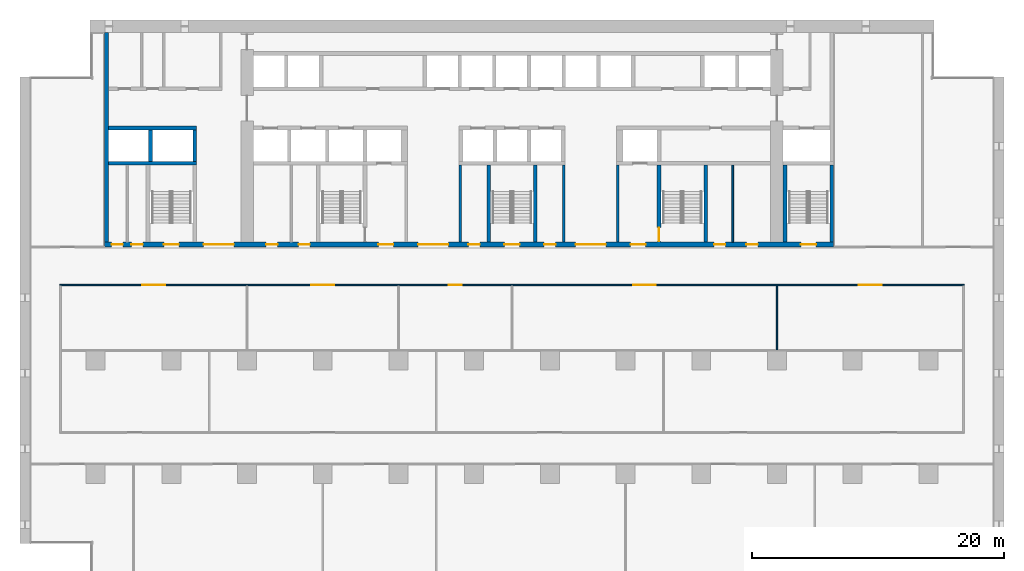
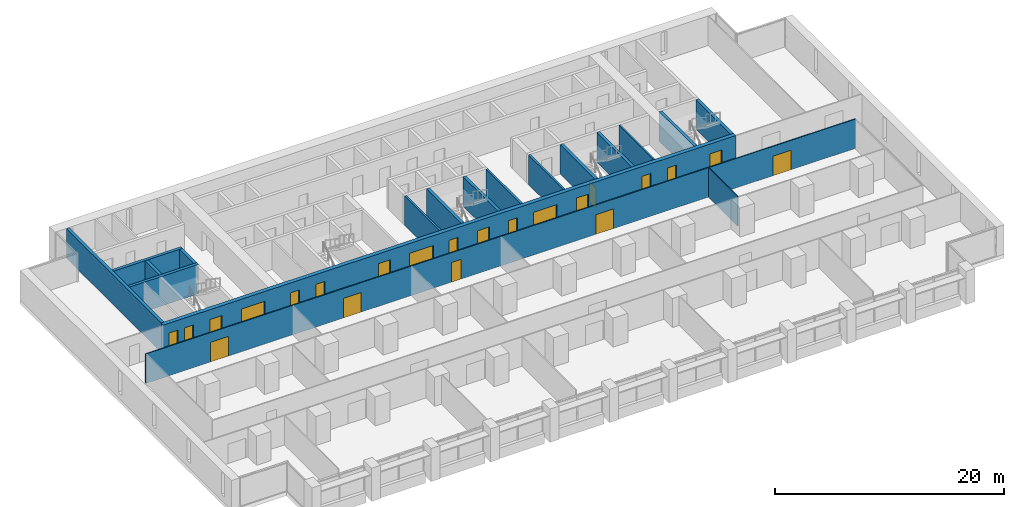
# One storey, part 10 of 18: 22 doors, 18 walls, 22 openings.
"""IFC4 building model written with IfcOpenShell, lengths in metres."""

from ifc_helpers import new_model, si_unit, direction, frame, frame_2d, origin, place, context, subcontext, project, spatial, rectangle, extrude, material, layer, layer_set, type_object, element, fill, save


model = new_model("IFC4")

# Units and contexts
model_context = context("Model", 3, precision=1e-05, world=origin(), true_north=direction((0.0, 1.0)))
body_context = subcontext(model_context, "Body", "Model", "MODEL_VIEW")
ifc_project = project(units=[si_unit("LENGTHUNIT", "METRE"), si_unit("AREAUNIT", "SQUARE_METRE"), si_unit("VOLUMEUNIT", "CUBIC_METRE"), si_unit("PLANEANGLEUNIT", "RADIAN"), si_unit("MASSUNIT", "GRAM", prefix="KILO")], contexts=[model_context])

# Site, building, storey
site_placement = place(None, origin())
site = spatial("IfcSite", under=ifc_project, at=site_placement, CompositionType="ELEMENT")
building_placement = place(site_placement, origin())
building = spatial("IfcBuilding", under=site, at=building_placement, Name="Calvaro Tower", CompositionType="ELEMENT")
storey_placement = place(building_placement, frame((0.0, 0.0, 86.25)))
storey = spatial("IfcBuildingStorey", under=building, at=storey_placement, Name="L21", CompositionType="ELEMENT", Elevation=86.25)

# Walls
ifc_material_1 = material(Name="Blockwork partition", Category="masonry")
ifc_layer_1 = layer(ifc_material_1, 0.14990234375)
ifc_layer_set_1 = layer_set([ifc_layer_1], Name="Blockwork partition")
wall_type_1 = type_object("IfcWallType", Name="Core partition 150 EI 60", PredefinedType="PARTITIONING", material=ifc_layer_set_1)
wall_1_placement = place(storey_placement, frame((56.5, 28.39990234375, 0.0), z_axis=(0.0, 0.0, 1.0), x_axis=(0.0, 1.0, 0.0)))
element("IfcWall", 1, at=wall_1_placement, inside=storey, type_object=wall_type_1, Name="Core partition", PredefinedType="PARTITIONING", context=body_context, shape_type="SweptSolid", body=[
    extrude(rectangle(XDim=6.10009765625, YDim=0.14990234375, at=frame_2d((3.050048828125, 0.0))), origin(), (0.0, 0.0, 1.0), 3.14990234375),
])
ifc_material_2 = material(Name="Blockwork partition", Category="masonry")
ifc_layer_2 = layer(ifc_material_2, 0.199951171875)
ifc_layer_set_2 = layer_set([ifc_layer_2], Name="Blockwork partition")
wall_type_2 = type_object("IfcWallType", Name="Core partition 200 REI 120", PredefinedType="PARTITIONING", material=ifc_layer_set_2)
for number, where, z_axis, x_axis, name in (
    (2, (34.89990234375, 28.39990234375, 0.0), (0.0, 0.0, 1.0), (0.0, 1.0, 0.0), "Core partition"),
    (3, (43.10009765625, 28.39990234375, 0.0), (0.0, 0.0, 1.0), (0.0, 1.0, 0.0), "Core partition"),
    (4, (47.39990234375, 28.39990234375, 0.0), (0.0, 0.0, 1.0), (0.0, 1.0, 0.0), "Core partition"),
):
    element("IfcWall", number, at=place(storey_placement, frame(where, z_axis=z_axis, x_axis=x_axis)), inside=storey, type_object=wall_type_2, Name=name, PredefinedType="PARTITIONING", context=body_context, shape_type="SweptSolid", body=[
        extrude(rectangle(XDim=6.10009765625, YDim=0.199951171875, at=frame_2d((3.050048828125, 0.0))), origin(), (0.0, 0.0, 1.0), 3.14990234375),
    ])
ifc_material_3 = material(Name="Concrete C80/95", Category="concrete")
ifc_layer_3 = layer(ifc_material_3, 0.300048828125)
ifc_layer_set_3 = layer_set([ifc_layer_3], Name="Concrete C80/95")
wall_type_3 = type_object("IfcWallType", Name="Core wall C80/95 300", PredefinedType="SHEAR", material=ifc_layer_set_3)
wall_2_placement = place(storey_placement, frame((6.85009765625, 28.39990234375, 0.0), z_axis=(0.0, 0.0, 1.0), x_axis=(0.0, 1.0, 0.0)))
element("IfcWall", 5, at=wall_2_placement, inside=storey, type_object=wall_type_3, Name="Core wall, boundary", PredefinedType="SHEAR", context=body_context, shape_type="SweptSolid", body=[
    extrude(rectangle(XDim=16.60009765625, YDim=0.300048828125, at=frame_2d((8.300048828125, 0.0))), origin(), (0.0, 0.0, 1.0), 3.14990234375),
])
for number, where, z_axis, x_axis, name in (
    (6, (37.14990234375, 28.39990234375, 0.0), (0.0, 0.0, 1.0), (0.0, 1.0, 0.0), "Core wall, stair enclosure"),
    (7, (40.85009765625, 28.39990234375, 0.0), (0.0, 0.0, 1.0), (0.0, 1.0, 0.0), "Core wall, stair enclosure"),
):
    element("IfcWall", number, at=place(storey_placement, frame(where, z_axis=z_axis, x_axis=x_axis)), inside=storey, type_object=wall_type_3, Name=name, PredefinedType="SHEAR", context=body_context, shape_type="SweptSolid", body=[
        extrude(rectangle(XDim=6.10009765625, YDim=0.300048828125, at=frame_2d((3.050048828125, 0.0))), origin(), (0.0, 0.0, 1.0), 3.14990234375),
    ])

# Wall, opening, door
wall_3_placement = place(storey_placement, frame((50.64990234375, 34.5, 0.0), z_axis=(0.0, 0.0, 1.0), x_axis=(0.0, -1.0, 0.0)))
wall_3 = element("IfcWall", 8, at=wall_3_placement, inside=storey, type_object=wall_type_3, Name="Core wall, stair enclosure", PredefinedType="SHEAR", context=body_context, shape_type="SweptSolid", body=[
    extrude(rectangle(XDim=6.10009765625, YDim=0.300048828125, at=frame_2d((3.050048828125, 0.0))), origin(), (0.0, 0.0, 1.0), 3.14990234375),
])
opening_1_placement = place(wall_3_placement, frame((4.949951171875, 0.0, 0.0)))
opening_1 = element("IfcOpeningElement", 9, at=opening_1_placement, cuts=wall_3, Name="Opening FD11D", PredefinedType="OPENING", context=body_context, shape_type="SweptSolid", body=[
    extrude(rectangle(XDim=1.10009765625, YDim=2.10009765625, at=frame_2d((0.550048828125, 1.050048828125))), frame((0.0, 0.159912109375, 0.0), z_axis=(0.0, -1.0, 0.0), x_axis=(1.0, 0.0, 0.0)), (0.0, 0.0, 1.0), 0.320068359375),
])
ifc_material_4 = material(Name="Steel door set", Category="steel")
door_type_1 = type_object("IfcDoorType", Name="Fire door 1100 FD30S", OperationType="SINGLE_SWING_LEFT", PredefinedType="DOOR", material=ifc_material_4)
door_1_placement = place(opening_1_placement, origin())
door_1 = element("IfcDoor", 10, at=door_1_placement, inside=storey, type_object=door_type_1, Name="Fire door", OperationType="SINGLE_SWING_RIGHT", OverallHeight=2.10009765625, OverallWidth=1.10009765625, PredefinedType="DOOR", context=body_context, shape_type="SweptSolid", body=[
    extrude(rectangle(XDim=1.10009765625, YDim=2.10009765625, at=frame_2d((0.550048828125, 1.050048828125))), frame((0.0, 0.02490234375, 0.0), z_axis=(0.0, -1.0, 0.0), x_axis=(1.0, 0.0, 0.0)), (0.0, 0.0, 1.0), 0.050048828125),
])
fill(opening_1, door_1)

# Walls
for number, where, z_axis, x_axis, name in (
    (11, (54.35009765625, 28.39990234375, 0.0), (0.0, 0.0, 1.0), (0.0, 1.0, 0.0), "Core wall, stair enclosure"),
    (12, (60.64990234375, 28.39990234375, 0.0), (0.0, 0.0, 1.0), (0.0, 1.0, 0.0), "Core wall, stair enclosure"),
    (13, (64.35009765625, 28.39990234375, 0.0), (0.0, 0.0, 1.0), (0.0, 1.0, 0.0), "Core wall, stair enclosure"),
):
    element("IfcWall", number, at=place(storey_placement, frame(where, z_axis=z_axis, x_axis=x_axis)), inside=storey, type_object=wall_type_3, Name=name, PredefinedType="SHEAR", context=body_context, shape_type="SweptSolid", body=[
        extrude(rectangle(XDim=6.10009765625, YDim=0.300048828125, at=frame_2d((3.050048828125, 0.0))), origin(), (0.0, 0.0, 1.0), 3.14990234375),
    ])
for number, where, z_axis, x_axis, name in (
    (14, (7.0, 34.64990234375, 0.0), (0.0, 0.0, 1.0), (1.0, 0.0, 0.0), "Core wall, lift shaft"),
    (15, (7.0, 37.449951171875, 0.0), (0.0, 0.0, 1.0), (1.0, 0.0, 0.0), "Core wall, lift shaft"),
):
    element("IfcWall", number, at=place(storey_placement, frame(where, z_axis=z_axis, x_axis=x_axis)), inside=storey, type_object=wall_type_3, Name=name, PredefinedType="SHEAR", context=body_context, shape_type="SweptSolid", body=[
        extrude(rectangle(XDim=7.0, YDim=0.300048828125, at=frame_2d((3.5, 0.0))), origin(), (0.0, 0.0, 1.0), 3.14990234375),
    ])
for number, where, z_axis, x_axis, name in (
    (16, (13.85009765625, 34.800048828125, 0.0), (0.0, 0.0, 1.0), (0.0, 1.0, 0.0), "Core wall, lift shaft"),
    (17, (10.35009765625, 34.800048828125, 0.0), (0.0, 0.0, 1.0), (0.0, 1.0, 0.0), "Core wall, lift shaft"),
):
    element("IfcWall", number, at=place(storey_placement, frame(where, z_axis=z_axis, x_axis=x_axis)), inside=storey, type_object=wall_type_3, Name=name, PredefinedType="SHEAR", context=body_context, shape_type="SweptSolid", body=[
        extrude(rectangle(XDim=2.5, YDim=0.300048828125, at=frame_2d((1.25, 0.0))), origin(), (0.0, 0.0, 1.0), 3.14990234375),
    ])

# Wall, openings, doors
ifc_material_5 = material(Name="Concrete C80/95", Category="concrete")
ifc_layer_4 = layer(ifc_material_5, 0.39990234375)
ifc_layer_set_4 = layer_set([ifc_layer_4], Name="Concrete C80/95")
wall_type_4 = type_object("IfcWallType", Name="Core wall C80/95 400", PredefinedType="SHEAR", material=ifc_layer_set_4)
wall_4_placement = place(storey_placement, frame((6.699951171875, 28.199951171875, 0.0), z_axis=(0.0, 0.0, 1.0), x_axis=(1.0, 0.0, 0.0)))
wall_4 = element("IfcWall", 18, at=wall_4_placement, inside=storey, type_object=wall_type_4, Name="Core wall, front", PredefinedType="SHEAR", context=body_context, shape_type="SweptSolid", body=[
    extrude(rectangle(XDim=57.800048828125, YDim=0.39990234375, at=frame_2d((28.89990234375, 0.0))), origin(), (0.0, 0.0, 1.0), 3.14990234375),
])
opening_2_placement = place(wall_4_placement, frame((12.8125, 0.0, 0.0)))
opening_2 = element("IfcOpeningElement", 19, at=opening_2_placement, cuts=wall_4, Name="Opening RD9E", PredefinedType="OPENING", context=body_context, shape_type="SweptSolid", body=[
    extrude(rectangle(XDim=0.89990234375, YDim=2.10009765625, at=frame_2d((0.449951171875, 1.050048828125))), frame((0.0, 0.2099609375, 0.0), z_axis=(0.0, -1.0, 0.0), x_axis=(1.0, 0.0, 0.0)), (0.0, 0.0, 1.0), 0.419921875),
])
opening_3_placement = place(wall_4_placement, frame((15.387451171875, 0.0, 0.0)))
opening_3 = element("IfcOpeningElement", 20, at=opening_3_placement, cuts=wall_4, Name="Opening RD9E", PredefinedType="OPENING", context=body_context, shape_type="SweptSolid", body=[
    extrude(rectangle(XDim=0.89990234375, YDim=2.10009765625, at=frame_2d((0.449951171875, 1.050048828125))), frame((0.0, 0.2099609375, 0.0), z_axis=(0.0, -1.0, 0.0), x_axis=(1.0, 0.0, 0.0)), (0.0, 0.0, 1.0), 0.419921875),
])
opening_4_placement = place(wall_4_placement, frame((48.3125, 0.0, 0.0)))
opening_4 = element("IfcOpeningElement", 21, at=opening_4_placement, cuts=wall_4, Name="Opening RD9E", PredefinedType="OPENING", context=body_context, shape_type="SweptSolid", body=[
    extrude(rectangle(XDim=0.89990234375, YDim=2.10009765625, at=frame_2d((0.449951171875, 1.050048828125))), frame((0.0, 0.2099609375, 0.0), z_axis=(0.0, -1.0, 0.0), x_axis=(1.0, 0.0, 0.0)), (0.0, 0.0, 1.0), 0.419921875),
])
opening_5_placement = place(wall_4_placement, frame((50.887451171875, 0.0, 0.0)))
opening_5 = element("IfcOpeningElement", 22, at=opening_5_placement, cuts=wall_4, Name="Opening RD9E", PredefinedType="OPENING", context=body_context, shape_type="SweptSolid", body=[
    extrude(rectangle(XDim=0.89990234375, YDim=2.10009765625, at=frame_2d((0.449951171875, 1.050048828125))), frame((0.0, 0.2099609375, 0.0), z_axis=(0.0, -1.0, 0.0), x_axis=(1.0, 0.0, 0.0)), (0.0, 0.0, 1.0), 0.419921875),
])
opening_6_placement = place(wall_4_placement, frame((0.5625, 0.0, 0.0)))
opening_6 = element("IfcOpeningElement", 23, at=opening_6_placement, cuts=wall_4, Name="Opening RD9E", PredefinedType="OPENING", context=body_context, shape_type="SweptSolid", body=[
    extrude(rectangle(XDim=0.89990234375, YDim=2.10009765625, at=frame_2d((0.449951171875, 1.050048828125))), frame((0.0, 0.2099609375, 0.0), z_axis=(0.0, -1.0, 0.0), x_axis=(1.0, 0.0, 0.0)), (0.0, 0.0, 1.0), 0.419921875),
])
opening_7_placement = place(wall_4_placement, frame((2.137451171875, 0.0, 0.0)))
opening_7 = element("IfcOpeningElement", 24, at=opening_7_placement, cuts=wall_4, Name="Opening RD9C", PredefinedType="OPENING", context=body_context, shape_type="SweptSolid", body=[
    extrude(rectangle(XDim=0.89990234375, YDim=2.10009765625, at=frame_2d((0.449951171875, 1.050048828125))), frame((0.0, 0.2099609375, 0.0), z_axis=(0.0, -1.0, 0.0), x_axis=(1.0, 0.0, 0.0)), (0.0, 0.0, 1.0), 0.419921875),
])
opening_8_placement = place(wall_4_placement, frame((4.699951171875, 0.0, 0.0)))
opening_8 = element("IfcOpeningElement", 25, at=opening_8_placement, cuts=wall_4, Name="Opening SD12D", PredefinedType="OPENING", context=body_context, shape_type="SweptSolid", body=[
    extrude(rectangle(XDim=1.199951171875, YDim=2.10009765625, at=frame_2d((0.60009765625, 1.050048828125))), frame((0.0, 0.2099609375, 0.0), z_axis=(0.0, -1.0, 0.0), x_axis=(1.0, 0.0, 0.0)), (0.0, 0.0, 1.0), 0.419921875),
])
opening_9_placement = place(wall_4_placement, frame((31.699951171875, 0.0, 0.0)))
opening_9 = element("IfcOpeningElement", 26, at=opening_9_placement, cuts=wall_4, Name="Opening SD12D", PredefinedType="OPENING", context=body_context, shape_type="SweptSolid", body=[
    extrude(rectangle(XDim=1.199951171875, YDim=2.10009765625, at=frame_2d((0.60009765625, 1.050048828125))), frame((0.0, 0.2099609375, 0.0), z_axis=(0.0, -1.0, 0.0), x_axis=(1.0, 0.0, 0.0)), (0.0, 0.0, 1.0), 0.419921875),
])
opening_10_placement = place(wall_4_placement, frame((55.199951171875, 0.0, 0.0)))
opening_10 = element("IfcOpeningElement", 27, at=opening_10_placement, cuts=wall_4, Name="Opening SD12D", PredefinedType="OPENING", context=body_context, shape_type="SweptSolid", body=[
    extrude(rectangle(XDim=1.199951171875, YDim=2.10009765625, at=frame_2d((0.60009765625, 1.050048828125))), frame((0.0, 0.2099609375, 0.0), z_axis=(0.0, -1.0, 0.0), x_axis=(1.0, 0.0, 0.0)), (0.0, 0.0, 1.0), 0.419921875),
])
opening_11_placement = place(wall_4_placement, frame((21.699951171875, 0.0, 0.0)))
opening_11 = element("IfcOpeningElement", 28, at=opening_11_placement, cuts=wall_4, Name="Opening FD12F", PredefinedType="OPENING", context=body_context, shape_type="SweptSolid", body=[
    extrude(rectangle(XDim=1.199951171875, YDim=2.10009765625, at=frame_2d((0.60009765625, 1.050048828125))), frame((0.0, 0.2099609375, 0.0), z_axis=(0.0, -1.0, 0.0), x_axis=(1.0, 0.0, 0.0)), (0.0, 0.0, 1.0), 0.419921875),
])
opening_12_placement = place(wall_4_placement, frame((41.699951171875, 0.0, 0.0)))
opening_12 = element("IfcOpeningElement", 29, at=opening_12_placement, cuts=wall_4, Name="Opening FD12F", PredefinedType="OPENING", context=body_context, shape_type="SweptSolid", body=[
    extrude(rectangle(XDim=1.199951171875, YDim=2.10009765625, at=frame_2d((0.60009765625, 1.050048828125))), frame((0.0, 0.2099609375, 0.0), z_axis=(0.0, -1.0, 0.0), x_axis=(1.0, 0.0, 0.0)), (0.0, 0.0, 1.0), 0.419921875),
])
opening_13_placement = place(wall_4_placement, frame((24.85009765625, 0.0, 0.0)))
opening_13 = element("IfcOpeningElement", 30, at=opening_13_placement, cuts=wall_4, Name="Opening DD24D", PredefinedType="OPENING", context=body_context, shape_type="SweptSolid", body=[
    extrude(rectangle(XDim=2.39990234375, YDim=2.10009765625, at=frame_2d((1.199951171875, 1.050048828125))), frame((0.0, 0.2099609375, 0.0), z_axis=(0.0, -1.0, 0.0), x_axis=(1.0, 0.0, 0.0)), (0.0, 0.0, 1.0), 0.419921875),
])
opening_14_placement = place(wall_4_placement, frame((37.35009765625, 0.0, 0.0)))
opening_14 = element("IfcOpeningElement", 31, at=opening_14_placement, cuts=wall_4, Name="Opening DD24D", PredefinedType="OPENING", context=body_context, shape_type="SweptSolid", body=[
    extrude(rectangle(XDim=2.39990234375, YDim=2.10009765625, at=frame_2d((1.199951171875, 1.050048828125))), frame((0.0, 0.2099609375, 0.0), z_axis=(0.0, -1.0, 0.0), x_axis=(1.0, 0.0, 0.0)), (0.0, 0.0, 1.0), 0.419921875),
])
opening_15_placement = place(wall_4_placement, frame((7.85009765625, 0.0, 0.0)))
opening_15 = element("IfcOpeningElement", 32, at=opening_15_placement, cuts=wall_4, Name="Opening DD24D", PredefinedType="OPENING", context=body_context, shape_type="SweptSolid", body=[
    extrude(rectangle(XDim=2.39990234375, YDim=2.10009765625, at=frame_2d((1.199951171875, 1.050048828125))), frame((0.0, 0.2099609375, 0.0), z_axis=(0.0, -1.0, 0.0), x_axis=(1.0, 0.0, 0.0)), (0.0, 0.0, 1.0), 0.419921875),
])
opening_16_placement = place(wall_4_placement, frame((28.85009765625, 0.0, 0.0)))
opening_16 = element("IfcOpeningElement", 33, at=opening_16_placement, cuts=wall_4, Name="Opening RD9E", PredefinedType="OPENING", context=body_context, shape_type="SweptSolid", body=[
    extrude(rectangle(XDim=0.89990234375, YDim=2.10009765625, at=frame_2d((0.449951171875, 1.050048828125))), frame((0.0, 0.2099609375, 0.0), z_axis=(0.0, -1.0, 0.0), x_axis=(1.0, 0.0, 0.0)), (0.0, 0.0, 1.0), 0.419921875),
])
opening_17_placement = place(wall_4_placement, frame((34.85009765625, 0.0, 0.0)))
opening_17 = element("IfcOpeningElement", 34, at=opening_17_placement, cuts=wall_4, Name="Opening RD9E", PredefinedType="OPENING", context=body_context, shape_type="SweptSolid", body=[
    extrude(rectangle(XDim=0.89990234375, YDim=2.10009765625, at=frame_2d((0.449951171875, 1.050048828125))), frame((0.0, 0.2099609375, 0.0), z_axis=(0.0, -1.0, 0.0), x_axis=(1.0, 0.0, 0.0)), (0.0, 0.0, 1.0), 0.419921875),
])
ifc_material_6 = material(Name="Steel door set", Category="steel")
door_type_2 = type_object("IfcDoorType", Name="Fire door 1200 FD60S", OperationType="SINGLE_SWING_LEFT", PredefinedType="DOOR", material=ifc_material_6)
door_2_placement = place(opening_11_placement, origin())
door_2 = element("IfcDoor", 35, at=door_2_placement, inside=storey, type_object=door_type_2, Name="Fire door", OperationType="SINGLE_SWING_LEFT", OverallHeight=2.10009765625, OverallWidth=1.199951171875, PredefinedType="DOOR", context=body_context, shape_type="SweptSolid", body=[
    extrude(rectangle(XDim=1.199951171875, YDim=2.10009765625, at=frame_2d((0.60009765625, 1.050048828125))), frame((0.0, 0.02490234375, 0.0), z_axis=(0.0, -1.0, 0.0), x_axis=(1.0, 0.0, 0.0)), (0.0, 0.0, 1.0), 0.050048828125),
])
fill(opening_11, door_2)
door_3_placement = place(opening_12_placement, origin())
door_3 = element("IfcDoor", 36, at=door_3_placement, inside=storey, type_object=door_type_2, Name="Fire door", OperationType="SINGLE_SWING_LEFT", OverallHeight=2.10009765625, OverallWidth=1.199951171875, PredefinedType="DOOR", context=body_context, shape_type="SweptSolid", body=[
    extrude(rectangle(XDim=1.199951171875, YDim=2.10009765625, at=frame_2d((0.60009765625, 1.050048828125))), frame((0.0, 0.02490234375, 0.0), z_axis=(0.0, -1.0, 0.0), x_axis=(1.0, 0.0, 0.0)), (0.0, 0.0, 1.0), 0.050048828125),
])
fill(opening_12, door_3)
ifc_material_7 = material(Name="Steel door set", Category="steel")
door_type_3 = type_object("IfcDoorType", Name="Lobby double door 2400 FD30S", OperationType="DOUBLE_DOOR_SINGLE_SWING", PredefinedType="DOOR", material=ifc_material_7)
door_4_placement = place(opening_13_placement, origin())
door_4 = element("IfcDoor", 37, at=door_4_placement, inside=storey, type_object=door_type_3, Name="Lobby double door", OperationType="DOUBLE_DOOR_SINGLE_SWING", OverallHeight=2.10009765625, OverallWidth=2.39990234375, PredefinedType="DOOR", context=body_context, shape_type="SweptSolid", body=[
    extrude(rectangle(XDim=2.39990234375, YDim=2.10009765625, at=frame_2d((1.199951171875, 1.050048828125))), frame((0.0, 0.02490234375, 0.0), z_axis=(0.0, -1.0, 0.0), x_axis=(1.0, 0.0, 0.0)), (0.0, 0.0, 1.0), 0.050048828125),
])
fill(opening_13, door_4)
door_5_placement = place(opening_14_placement, origin())
door_5 = element("IfcDoor", 38, at=door_5_placement, inside=storey, type_object=door_type_3, Name="Lobby double door", OperationType="DOUBLE_DOOR_SINGLE_SWING", OverallHeight=2.10009765625, OverallWidth=2.39990234375, PredefinedType="DOOR", context=body_context, shape_type="SweptSolid", body=[
    extrude(rectangle(XDim=2.39990234375, YDim=2.10009765625, at=frame_2d((1.199951171875, 1.050048828125))), frame((0.0, 0.02490234375, 0.0), z_axis=(0.0, -1.0, 0.0), x_axis=(1.0, 0.0, 0.0)), (0.0, 0.0, 1.0), 0.050048828125),
])
fill(opening_14, door_5)
door_6_placement = place(opening_15_placement, origin())
door_6 = element("IfcDoor", 39, at=door_6_placement, inside=storey, type_object=door_type_3, Name="Lobby double door", OperationType="DOUBLE_DOOR_SINGLE_SWING", OverallHeight=2.10009765625, OverallWidth=2.39990234375, PredefinedType="DOOR", context=body_context, shape_type="SweptSolid", body=[
    extrude(rectangle(XDim=2.39990234375, YDim=2.10009765625, at=frame_2d((1.199951171875, 1.050048828125))), frame((0.0, 0.02490234375, 0.0), z_axis=(0.0, -1.0, 0.0), x_axis=(1.0, 0.0, 0.0)), (0.0, 0.0, 1.0), 0.050048828125),
])
fill(opening_15, door_6)
ifc_material_8 = material(Name="Steel door set", Category="steel")
door_type_4 = type_object("IfcDoorType", Name="Room door 900 FD30", OperationType="SINGLE_SWING_LEFT", PredefinedType="DOOR", material=ifc_material_8)
door_7_placement = place(opening_7_placement, origin())
door_7 = element("IfcDoor", 40, at=door_7_placement, inside=storey, type_object=door_type_4, Name="Room door", OperationType="SINGLE_SWING_LEFT", OverallHeight=2.10009765625, OverallWidth=0.89990234375, PredefinedType="DOOR", context=body_context, shape_type="SweptSolid", body=[
    extrude(rectangle(XDim=0.89990234375, YDim=2.10009765625, at=frame_2d((0.449951171875, 1.050048828125))), frame((0.0, 0.02490234375, 0.0), z_axis=(0.0, -1.0, 0.0), x_axis=(1.0, 0.0, 0.0)), (0.0, 0.0, 1.0), 0.050048828125),
])
fill(opening_7, door_7)
ifc_material_9 = material(Name="Steel door set", Category="steel")
door_type_5 = type_object("IfcDoorType", Name="Room door 900 FD60", OperationType="SINGLE_SWING_LEFT", PredefinedType="DOOR", material=ifc_material_9)
door_8_placement = place(opening_2_placement, origin())
door_8 = element("IfcDoor", 41, at=door_8_placement, inside=storey, type_object=door_type_5, Name="Room door", OperationType="SINGLE_SWING_LEFT", OverallHeight=2.10009765625, OverallWidth=0.89990234375, PredefinedType="DOOR", context=body_context, shape_type="SweptSolid", body=[
    extrude(rectangle(XDim=0.89990234375, YDim=2.10009765625, at=frame_2d((0.449951171875, 1.050048828125))), frame((0.0, 0.02490234375, 0.0), z_axis=(0.0, -1.0, 0.0), x_axis=(1.0, 0.0, 0.0)), (0.0, 0.0, 1.0), 0.050048828125),
])
fill(opening_2, door_8)
door_9_placement = place(opening_3_placement, origin())
door_9 = element("IfcDoor", 42, at=door_9_placement, inside=storey, type_object=door_type_5, Name="Room door", OperationType="SINGLE_SWING_RIGHT", OverallHeight=2.10009765625, OverallWidth=0.89990234375, PredefinedType="DOOR", context=body_context, shape_type="SweptSolid", body=[
    extrude(rectangle(XDim=0.89990234375, YDim=2.10009765625, at=frame_2d((0.449951171875, 1.050048828125))), frame((0.0, 0.02490234375, 0.0), z_axis=(0.0, -1.0, 0.0), x_axis=(1.0, 0.0, 0.0)), (0.0, 0.0, 1.0), 0.050048828125),
])
fill(opening_3, door_9)
door_10_placement = place(opening_4_placement, origin())
door_10 = element("IfcDoor", 43, at=door_10_placement, inside=storey, type_object=door_type_5, Name="Room door", OperationType="SINGLE_SWING_LEFT", OverallHeight=2.10009765625, OverallWidth=0.89990234375, PredefinedType="DOOR", context=body_context, shape_type="SweptSolid", body=[
    extrude(rectangle(XDim=0.89990234375, YDim=2.10009765625, at=frame_2d((0.449951171875, 1.050048828125))), frame((0.0, 0.02490234375, 0.0), z_axis=(0.0, -1.0, 0.0), x_axis=(1.0, 0.0, 0.0)), (0.0, 0.0, 1.0), 0.050048828125),
])
fill(opening_4, door_10)
door_11_placement = place(opening_5_placement, origin())
door_11 = element("IfcDoor", 44, at=door_11_placement, inside=storey, type_object=door_type_5, Name="Room door", OperationType="SINGLE_SWING_LEFT", OverallHeight=2.10009765625, OverallWidth=0.89990234375, PredefinedType="DOOR", context=body_context, shape_type="SweptSolid", body=[
    extrude(rectangle(XDim=0.89990234375, YDim=2.10009765625, at=frame_2d((0.449951171875, 1.050048828125))), frame((0.0, 0.02490234375, 0.0), z_axis=(0.0, -1.0, 0.0), x_axis=(1.0, 0.0, 0.0)), (0.0, 0.0, 1.0), 0.050048828125),
])
fill(opening_5, door_11)
door_12_placement = place(opening_6_placement, origin())
door_12 = element("IfcDoor", 45, at=door_12_placement, inside=storey, type_object=door_type_5, Name="Room door", OperationType="SINGLE_SWING_LEFT", OverallHeight=2.10009765625, OverallWidth=0.89990234375, PredefinedType="DOOR", context=body_context, shape_type="SweptSolid", body=[
    extrude(rectangle(XDim=0.89990234375, YDim=2.10009765625, at=frame_2d((0.449951171875, 1.050048828125))), frame((0.0, 0.02490234375, 0.0), z_axis=(0.0, -1.0, 0.0), x_axis=(1.0, 0.0, 0.0)), (0.0, 0.0, 1.0), 0.050048828125),
])
fill(opening_6, door_12)
door_13_placement = place(opening_16_placement, origin())
door_13 = element("IfcDoor", 46, at=door_13_placement, inside=storey, type_object=door_type_5, Name="Room door", OperationType="SINGLE_SWING_LEFT", OverallHeight=2.10009765625, OverallWidth=0.89990234375, PredefinedType="DOOR", context=body_context, shape_type="SweptSolid", body=[
    extrude(rectangle(XDim=0.89990234375, YDim=2.10009765625, at=frame_2d((0.449951171875, 1.050048828125))), frame((0.0, 0.02490234375, 0.0), z_axis=(0.0, -1.0, 0.0), x_axis=(1.0, 0.0, 0.0)), (0.0, 0.0, 1.0), 0.050048828125),
])
fill(opening_16, door_13)
door_14_placement = place(opening_17_placement, origin())
door_14 = element("IfcDoor", 47, at=door_14_placement, inside=storey, type_object=door_type_5, Name="Room door", OperationType="SINGLE_SWING_LEFT", OverallHeight=2.10009765625, OverallWidth=0.89990234375, PredefinedType="DOOR", context=body_context, shape_type="SweptSolid", body=[
    extrude(rectangle(XDim=0.89990234375, YDim=2.10009765625, at=frame_2d((0.449951171875, 1.050048828125))), frame((0.0, 0.02490234375, 0.0), z_axis=(0.0, -1.0, 0.0), x_axis=(1.0, 0.0, 0.0)), (0.0, 0.0, 1.0), 0.050048828125),
])
fill(opening_17, door_14)
ifc_material_10 = material(Name="Steel door set", Category="steel")
door_type_6 = type_object("IfcDoorType", Name="Stair door 1200 FD30S", OperationType="SINGLE_SWING_LEFT", PredefinedType="DOOR", material=ifc_material_10)
door_15_placement = place(opening_8_placement, origin())
door_15 = element("IfcDoor", 48, at=door_15_placement, inside=storey, type_object=door_type_6, Name="Stair door", OperationType="SINGLE_SWING_LEFT", OverallHeight=2.10009765625, OverallWidth=1.199951171875, PredefinedType="DOOR", context=body_context, shape_type="SweptSolid", body=[
    extrude(rectangle(XDim=1.199951171875, YDim=2.10009765625, at=frame_2d((0.60009765625, 1.050048828125))), frame((0.0, 0.02490234375, 0.0), z_axis=(0.0, -1.0, 0.0), x_axis=(1.0, 0.0, 0.0)), (0.0, 0.0, 1.0), 0.050048828125),
])
fill(opening_8, door_15)
door_16_placement = place(opening_9_placement, origin())
door_16 = element("IfcDoor", 49, at=door_16_placement, inside=storey, type_object=door_type_6, Name="Stair door", OperationType="SINGLE_SWING_LEFT", OverallHeight=2.10009765625, OverallWidth=1.199951171875, PredefinedType="DOOR", context=body_context, shape_type="SweptSolid", body=[
    extrude(rectangle(XDim=1.199951171875, YDim=2.10009765625, at=frame_2d((0.60009765625, 1.050048828125))), frame((0.0, 0.02490234375, 0.0), z_axis=(0.0, -1.0, 0.0), x_axis=(1.0, 0.0, 0.0)), (0.0, 0.0, 1.0), 0.050048828125),
])
fill(opening_9, door_16)
door_17_placement = place(opening_10_placement, origin())
door_17 = element("IfcDoor", 50, at=door_17_placement, inside=storey, type_object=door_type_6, Name="Stair door", OperationType="SINGLE_SWING_LEFT", OverallHeight=2.10009765625, OverallWidth=1.199951171875, PredefinedType="DOOR", context=body_context, shape_type="SweptSolid", body=[
    extrude(rectangle(XDim=1.199951171875, YDim=2.10009765625, at=frame_2d((0.60009765625, 1.050048828125))), frame((0.0, 0.02490234375, 0.0), z_axis=(0.0, -1.0, 0.0), x_axis=(1.0, 0.0, 0.0)), (0.0, 0.0, 1.0), 0.050048828125),
])
fill(opening_10, door_17)

ifc_material_11 = material(Name="Plasterboard on steel studs", Category="steel")
ifc_layer_5 = layer(ifc_material_11, 0.10009765625)
ifc_layer_set_5 = layer_set([ifc_layer_5], Name="Plasterboard on steel studs")
wall_type_5 = type_object("IfcWallType", Name="Partition 100", PredefinedType="PARTITIONING", material=ifc_layer_set_5)
wall_5_placement = place(storey_placement, frame((3.14990234375, 25.0, 0.0), z_axis=(0.0, 0.0, 1.0), x_axis=(1.0, 0.0, 0.0)))
wall_5 = element("IfcWall", 51, at=wall_5_placement, inside=storey, type_object=wall_type_5, Name="Partition T14.W004", PredefinedType="PARTITIONING", context=body_context, shape_type="SweptSolid", body=[
    extrude(rectangle(XDim=71.7001953125, YDim=0.10009765625, at=frame_2d((35.85009765625, 0.0))), origin(), (0.0, 0.0, 1.0), 3.14990234375),
])
opening_18_placement = place(wall_5_placement, frame((6.550048828125, 0.0, 0.0)))
opening_18 = element("IfcOpeningElement", 52, at=opening_18_placement, cuts=wall_5, Name="Opening T14.012", PredefinedType="OPENING", context=body_context, shape_type="SweptSolid", body=[
    extrude(rectangle(XDim=1.800048828125, YDim=2.10009765625, at=frame_2d((0.89990234375, 1.050048828125))), frame((0.0, 0.06005859375, 0.0), z_axis=(0.0, -1.0, 0.0), x_axis=(1.0, 0.0, 0.0)), (0.0, 0.0, 1.0), 0.1201171875),
])
opening_19_placement = place(wall_5_placement, frame((19.949951171875, 0.0, 0.0)))
opening_19 = element("IfcOpeningElement", 53, at=opening_19_placement, cuts=wall_5, Name="Opening T14.013", PredefinedType="OPENING", context=body_context, shape_type="SweptSolid", body=[
    extrude(rectangle(XDim=1.800048828125, YDim=2.10009765625, at=frame_2d((0.89990234375, 1.050048828125))), frame((0.0, 0.06005859375, 0.0), z_axis=(0.0, -1.0, 0.0), x_axis=(1.0, 0.0, 0.0)), (0.0, 0.0, 1.0), 0.1201171875),
])
opening_20_placement = place(wall_5_placement, frame((30.85009765625, 0.0, 0.0)))
opening_20 = element("IfcOpeningElement", 54, at=opening_20_placement, cuts=wall_5, Name="Opening T14.014", PredefinedType="OPENING", context=body_context, shape_type="SweptSolid", body=[
    extrude(rectangle(XDim=1.0, YDim=2.10009765625, at=frame_2d((0.5, 1.050048828125))), frame((0.0, 0.06005859375, 0.0), z_axis=(0.0, -1.0, 0.0), x_axis=(1.0, 0.0, 0.0)), (0.0, 0.0, 1.0), 0.1201171875),
])
opening_21_placement = place(wall_5_placement, frame((45.449951171875, 0.0, 0.0)))
opening_21 = element("IfcOpeningElement", 55, at=opening_21_placement, cuts=wall_5, Name="Opening T14.015", PredefinedType="OPENING", context=body_context, shape_type="SweptSolid", body=[
    extrude(rectangle(XDim=1.800048828125, YDim=2.10009765625, at=frame_2d((0.89990234375, 1.050048828125))), frame((0.0, 0.06005859375, 0.0), z_axis=(0.0, -1.0, 0.0), x_axis=(1.0, 0.0, 0.0)), (0.0, 0.0, 1.0), 0.1201171875),
])
opening_22_placement = place(wall_5_placement, frame((63.35009765625, 0.0, 0.0)))
opening_22 = element("IfcOpeningElement", 56, at=opening_22_placement, cuts=wall_5, Name="Opening T14.016", PredefinedType="OPENING", context=body_context, shape_type="SweptSolid", body=[
    extrude(rectangle(XDim=1.800048828125, YDim=2.10009765625, at=frame_2d((0.89990234375, 1.050048828125))), frame((0.0, 0.06005859375, 0.0), z_axis=(0.0, -1.0, 0.0), x_axis=(1.0, 0.0, 0.0)), (0.0, 0.0, 1.0), 0.1201171875),
])
ifc_material_12 = material(Name="Timber", Category="wood")
door_type_7 = type_object("IfcDoorType", Name="Internal double door 1800 x 2100", OperationType="DOUBLE_DOOR_SINGLE_SWING", PredefinedType="DOOR", material=ifc_material_12)
door_18_placement = place(opening_18_placement, origin())
door_18 = element("IfcDoor", 57, at=door_18_placement, inside=storey, type_object=door_type_7, Name="Door T14.012", OperationType="DOUBLE_DOOR_SINGLE_SWING", OverallHeight=2.10009765625, OverallWidth=1.800048828125, PredefinedType="DOOR", context=body_context, shape_type="SweptSolid", body=[
    extrude(rectangle(XDim=1.800048828125, YDim=2.10009765625, at=frame_2d((0.89990234375, 1.050048828125))), frame((0.0, 0.02490234375, 0.0), z_axis=(0.0, -1.0, 0.0), x_axis=(1.0, 0.0, 0.0)), (0.0, 0.0, 1.0), 0.050048828125),
])
fill(opening_18, door_18)
door_19_placement = place(opening_19_placement, origin())
door_19 = element("IfcDoor", 58, at=door_19_placement, inside=storey, type_object=door_type_7, Name="Door T14.013", OperationType="DOUBLE_DOOR_SINGLE_SWING", OverallHeight=2.10009765625, OverallWidth=1.800048828125, PredefinedType="DOOR", context=body_context, shape_type="SweptSolid", body=[
    extrude(rectangle(XDim=1.800048828125, YDim=2.10009765625, at=frame_2d((0.89990234375, 1.050048828125))), frame((0.0, 0.02490234375, 0.0), z_axis=(0.0, -1.0, 0.0), x_axis=(1.0, 0.0, 0.0)), (0.0, 0.0, 1.0), 0.050048828125),
])
fill(opening_19, door_19)
door_20_placement = place(opening_21_placement, origin())
door_20 = element("IfcDoor", 59, at=door_20_placement, inside=storey, type_object=door_type_7, Name="Door T14.015", OperationType="DOUBLE_DOOR_SINGLE_SWING", OverallHeight=2.10009765625, OverallWidth=1.800048828125, PredefinedType="DOOR", context=body_context, shape_type="SweptSolid", body=[
    extrude(rectangle(XDim=1.800048828125, YDim=2.10009765625, at=frame_2d((0.89990234375, 1.050048828125))), frame((0.0, 0.02490234375, 0.0), z_axis=(0.0, -1.0, 0.0), x_axis=(1.0, 0.0, 0.0)), (0.0, 0.0, 1.0), 0.050048828125),
])
fill(opening_21, door_20)
door_21_placement = place(opening_22_placement, origin())
door_21 = element("IfcDoor", 60, at=door_21_placement, inside=storey, type_object=door_type_7, Name="Door T14.016", OperationType="DOUBLE_DOOR_SINGLE_SWING", OverallHeight=2.10009765625, OverallWidth=1.800048828125, PredefinedType="DOOR", context=body_context, shape_type="SweptSolid", body=[
    extrude(rectangle(XDim=1.800048828125, YDim=2.10009765625, at=frame_2d((0.89990234375, 1.050048828125))), frame((0.0, 0.02490234375, 0.0), z_axis=(0.0, -1.0, 0.0), x_axis=(1.0, 0.0, 0.0)), (0.0, 0.0, 1.0), 0.050048828125),
])
fill(opening_22, door_21)
ifc_material_13 = material(Name="Timber", Category="wood")
door_type_8 = type_object("IfcDoorType", Name="Internal single door 1000 x 2100", OperationType="SINGLE_SWING_LEFT", PredefinedType="DOOR", material=ifc_material_13)
door_22_placement = place(opening_20_placement, origin())
door_22 = element("IfcDoor", 61, at=door_22_placement, inside=storey, type_object=door_type_8, Name="Door T14.014", OperationType="SINGLE_SWING_LEFT", OverallHeight=2.10009765625, OverallWidth=1.0, PredefinedType="DOOR", context=body_context, shape_type="SweptSolid", body=[
    extrude(rectangle(XDim=1.0, YDim=2.10009765625, at=frame_2d((0.5, 1.050048828125))), frame((0.0, 0.02490234375, 0.0), z_axis=(0.0, -1.0, 0.0), x_axis=(1.0, 0.0, 0.0)), (0.0, 0.0, 1.0), 0.050048828125),
])
fill(opening_20, door_22)

# Wall
wall_6_placement = place(storey_placement, frame((60.0, 19.85009765625, 0.0), z_axis=(0.0, 0.0, 1.0), x_axis=(0.0, 1.0, 0.0)))
element("IfcWall", 62, at=wall_6_placement, inside=storey, type_object=wall_type_5, Name="Partition T14.W018", PredefinedType="PARTITIONING", context=body_context, shape_type="SweptSolid", body=[
    extrude(rectangle(XDim=5.099853515625, YDim=0.10009765625, at=frame_2d((2.5498046875, 0.0))), origin(), (0.0, 0.0, 1.0), 3.14990234375),
])

save(model, "model.ifc")
